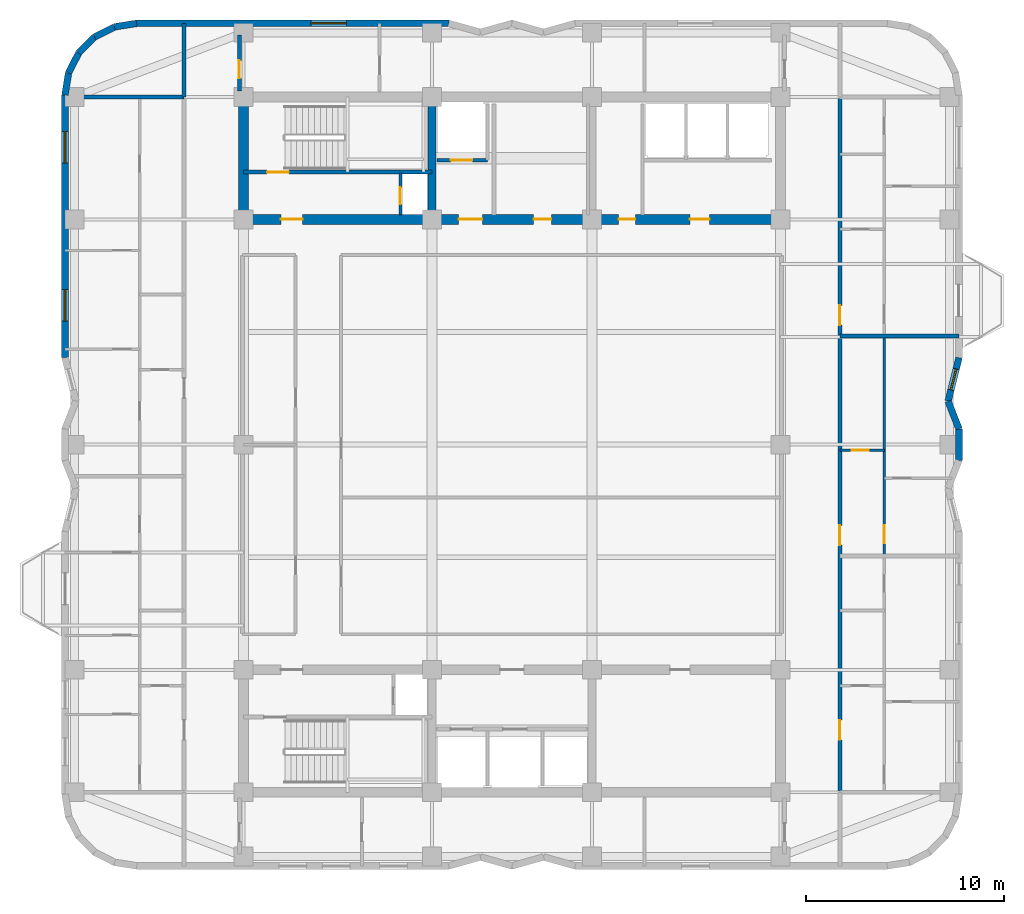
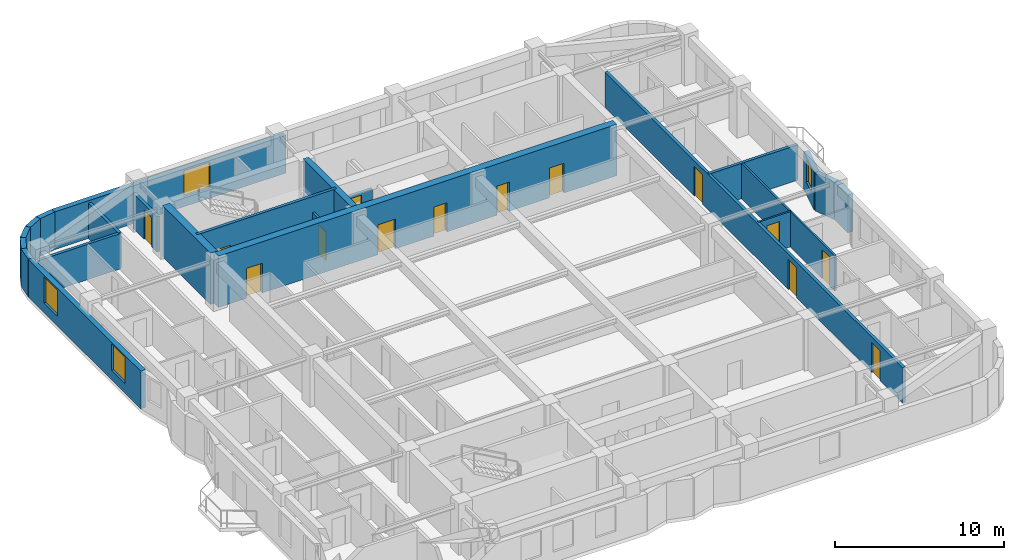
# One storey, part 5 of 8: 23 walls, 14 doors, 4 windows, 18 openings.
"""IFC4 building model written with IfcOpenShell, lengths in metres."""

from ifc_helpers import new_model, si_unit, direction, frame, frame_2d, origin, place, context, subcontext, project, spatial, rectangle, extrude, material, layer, layer_set, type_object, element, fill, save


model = new_model("IFC4")

# Units and contexts
model_context = context("Model", 3, precision=1e-05, world=origin(), true_north=direction((0.0, 1.0)))
body_context = subcontext(model_context, "Body", "Model", "MODEL_VIEW")
ifc_project = project(units=[si_unit("LENGTHUNIT", "METRE"), si_unit("AREAUNIT", "SQUARE_METRE"), si_unit("VOLUMEUNIT", "CUBIC_METRE"), si_unit("PLANEANGLEUNIT", "RADIAN"), si_unit("MASSUNIT", "GRAM", prefix="KILO")], contexts=[model_context])

# Site, building, storey
site_placement = place(None, origin())
site = spatial("IfcSite", under=ifc_project, at=site_placement, CompositionType="ELEMENT")
building_placement = place(site_placement, origin())
building = spatial("IfcBuilding", under=site, at=building_placement, Name="Svetorya Sky Lyceum", CompositionType="ELEMENT")
storey_placement = place(building_placement, frame((0.0, 0.0, 151.5)))
storey = spatial("IfcBuildingStorey", under=building, at=storey_placement, Name="L37", CompositionType="ELEMENT", Elevation=151.5)

# Walls
ifc_material_1 = material(Name="Concrete C40/50", Category="concrete")
ifc_layer_1 = layer(ifc_material_1, 0.39990234375)
ifc_layer_set_1 = layer_set([ifc_layer_1], Name="Concrete C40/50")
wall_type_1 = type_object("IfcWallType", Name="WL-CORE-400", PredefinedType="SHEAR", material=ifc_layer_set_1)
wall_1_placement = place(storey_placement, frame((35.14990234375, 39.85009765625, 0.0), z_axis=(0.0, 0.0, 1.0), x_axis=(0.0, 1.0, 0.0)))
element("IfcWall", 1, at=wall_1_placement, inside=storey, type_object=wall_type_1, Name="L37 NC Internal Shear Web WEB1", PredefinedType="SHEAR", context=body_context, shape_type="SweptSolid", body=[
    extrude(rectangle(XDim=5.699951171875, YDim=0.39990234375, at=frame_2d((2.85009765625, 0.0))), origin(), (0.0, 0.0, 1.0), 3.699951171875),
])
ifc_material_2 = material(Name="Concrete C50/60", Category="concrete")
ifc_layer_2 = layer(ifc_material_2, 0.5)
ifc_layer_set_2 = layer_set([ifc_layer_2], Name="Concrete C50/60")
wall_type_2 = type_object("IfcWallType", Name="WL-CORE-500", PredefinedType="SHEAR", material=ifc_layer_set_2)
wall_2_placement = place(storey_placement, frame((25.60009765625, 39.85009765625, 0.0), z_axis=(0.0, 0.0, 1.0), x_axis=(0.0, 1.0, 0.0)))
element("IfcWall", 2, at=wall_2_placement, inside=storey, type_object=wall_type_2, Name="L37 NC West Core Shear Wall", PredefinedType="SHEAR", context=body_context, shape_type="SweptSolid", body=[
    extrude(rectangle(XDim=5.699951171875, YDim=0.5, at=frame_2d((2.85009765625, 0.0))), origin(), (0.0, 0.0, 1.0), 3.699951171875),
])

# Wall, openings, doors
wall_3_placement = place(storey_placement, frame((52.800048828125, 39.60009765625, 0.0), z_axis=(0.0, 0.0, 1.0), x_axis=(-1.0, 0.0, 0.0)))
wall_3 = element("IfcWall", 3, at=wall_3_placement, inside=storey, type_object=wall_type_2, Name="L37 NC Inner Core Shear Wall", PredefinedType="SHEAR", context=body_context, shape_type="SweptSolid", body=[
    extrude(rectangle(XDim=27.199951171875, YDim=0.5, at=frame_2d((13.60009765625, 0.0))), origin(), (0.0, 0.0, 1.0), 3.699951171875),
])
opening_1_placement = place(wall_3_placement, frame((24.199951171875, 0.0, 0.0)))
opening_1 = element("IfcOpeningElement", 4, at=opening_1_placement, cuts=wall_3, Name="Opening D-ST1", PredefinedType="OPENING", context=body_context, shape_type="SweptSolid", body=[
    extrude(rectangle(XDim=1.10009765625, YDim=2.14990234375, at=frame_2d((0.550048828125, 1.074951171875))), frame((0.0, 0.260009765625, 0.0), z_axis=(0.0, -1.0, 0.0), x_axis=(1.0, 0.0, 0.0)), (0.0, 0.0, 1.0), 0.52001953125),
])
opening_2_placement = place(wall_3_placement, frame((15.10009765625, 0.0, 0.0)))
opening_2 = element("IfcOpeningElement", 5, at=opening_2_placement, cuts=wall_3, Name="Opening D-FL1", PredefinedType="OPENING", context=body_context, shape_type="SweptSolid", body=[
    extrude(rectangle(XDim=1.199951171875, YDim=2.14990234375, at=frame_2d((0.60009765625, 1.074951171875))), frame((0.0, 0.260009765625, 0.0), z_axis=(0.0, -1.0, 0.0), x_axis=(1.0, 0.0, 0.0)), (0.0, 0.0, 1.0), 0.52001953125),
])
opening_3_placement = place(wall_3_placement, frame((11.60009765625, 0.0, 0.0)))
opening_3 = element("IfcOpeningElement", 6, at=opening_3_placement, cuts=wall_3, Name="Opening D-RM1", PredefinedType="OPENING", context=body_context, shape_type="SweptSolid", body=[
    extrude(rectangle(XDim=0.89990234375, YDim=2.10009765625, at=frame_2d((0.449951171875, 1.050048828125))), frame((0.0, 0.260009765625, 0.0), z_axis=(0.0, -1.0, 0.0), x_axis=(1.0, 0.0, 0.0)), (0.0, 0.0, 1.0), 0.52001953125),
])
opening_4_placement = place(wall_3_placement, frame((7.35009765625, 0.0, 0.0)))
opening_4 = element("IfcOpeningElement", 7, at=opening_4_placement, cuts=wall_3, Name="Opening D-CWC1", PredefinedType="OPENING", context=body_context, shape_type="SweptSolid", body=[
    extrude(rectangle(XDim=0.85009765625, YDim=2.10009765625, at=frame_2d((0.425048828125, 1.050048828125))), frame((0.0, 0.260009765625, 0.0), z_axis=(0.0, -1.0, 0.0), x_axis=(1.0, 0.0, 0.0)), (0.0, 0.0, 1.0), 0.52001953125),
])
opening_5_placement = place(wall_3_placement, frame((3.60009765625, 0.0, 0.0)))
opening_5 = element("IfcOpeningElement", 8, at=opening_5_placement, cuts=wall_3, Name="Opening D-RM2", PredefinedType="OPENING", context=body_context, shape_type="SweptSolid", body=[
    extrude(rectangle(XDim=1.0, YDim=2.14990234375, at=frame_2d((0.5, 1.074951171875))), frame((0.0, 0.260009765625, 0.0), z_axis=(0.0, -1.0, 0.0), x_axis=(1.0, 0.0, 0.0)), (0.0, 0.0, 1.0), 0.52001953125),
])
ifc_material_3 = material(Name="Fire-rated galvanized steel core service closet door", Category="steel")
door_type_1 = type_object("IfcDoorType", Name="DR-CWET-850", OperationType="SINGLE_SWING_LEFT", PredefinedType="DOOR", material=ifc_material_3)
door_1_placement = place(opening_4_placement, origin())
door_1 = element("IfcDoor", 9, at=door_1_placement, inside=storey, type_object=door_type_1, Name="L37 High-Zone Utility Room Door", OperationType="SINGLE_SWING_LEFT", OverallHeight=2.10009765625, OverallWidth=0.85009765625, PredefinedType="DOOR", context=body_context, shape_type="SweptSolid", body=[
    extrude(rectangle(XDim=0.85009765625, YDim=2.10009765625, at=frame_2d((0.425048828125, 1.050048828125))), frame((0.0, 0.02490234375, 0.0), z_axis=(0.0, -1.0, 0.0), x_axis=(1.0, 0.0, 0.0)), (0.0, 0.0, 1.0), 0.050048828125),
])
fill(opening_4, door_1)
ifc_material_4 = material(Name="Powder-coated insulated galvanized stair fire door")
door_type_2 = type_object("IfcDoorType", Name="DR-FIRE-1100", OperationType="SINGLE_SWING_LEFT", PredefinedType="DOOR", material=ifc_material_4)
door_2_placement = place(opening_1_placement, origin())
door_2 = element("IfcDoor", 10, at=door_2_placement, inside=storey, type_object=door_type_2, Name="L37 North Stair Airlock Door", OperationType="SINGLE_SWING_LEFT", OverallHeight=2.14990234375, OverallWidth=1.10009765625, PredefinedType="DOOR", context=body_context, shape_type="SweptSolid", body=[
    extrude(rectangle(XDim=1.10009765625, YDim=2.14990234375, at=frame_2d((0.550048828125, 1.074951171875))), frame((0.0, 0.02490234375, 0.0), z_axis=(0.0, -1.0, 0.0), x_axis=(1.0, 0.0, 0.0)), (0.0, 0.0, 1.0), 0.050048828125),
])
fill(opening_1, door_2)
ifc_material_5 = material(Name="Powder-coated insulated galvanized fire door")
door_type_3 = type_object("IfcDoorType", Name="DR-FIRE-1200", OperationType="SINGLE_SWING_LEFT", PredefinedType="DOOR", material=ifc_material_5)
door_3_placement = place(opening_2_placement, origin())
door_3 = element("IfcDoor", 11, at=door_3_placement, inside=storey, type_object=door_type_3, Name="L37 North Firefighting Lift Lobby Door", OperationType="SINGLE_SWING_RIGHT", OverallHeight=2.14990234375, OverallWidth=1.199951171875, PredefinedType="DOOR", context=body_context, shape_type="SweptSolid", body=[
    extrude(rectangle(XDim=1.199951171875, YDim=2.14990234375, at=frame_2d((0.60009765625, 1.074951171875))), frame((0.0, 0.02490234375, 0.0), z_axis=(0.0, -1.0, 0.0), x_axis=(1.0, 0.0, 0.0)), (0.0, 0.0, 1.0), 0.050048828125),
])
fill(opening_2, door_3)
ifc_material_6 = material(Name="Solid-core oak acoustic room door")
door_type_4 = type_object("IfcDoorType", Name="DR-INT-1000", OperationType="SINGLE_SWING_LEFT", PredefinedType="DOOR", material=ifc_material_6)
door_4_placement = place(opening_5_placement, origin())
door_4 = element("IfcDoor", 12, at=door_4_placement, inside=storey, type_object=door_type_4, Name="L37 North Trunk Store Door", OperationType="SINGLE_SWING_LEFT", OverallHeight=2.14990234375, OverallWidth=1.0, PredefinedType="DOOR", context=body_context, shape_type="SweptSolid", body=[
    extrude(rectangle(XDim=1.0, YDim=2.14990234375, at=frame_2d((0.5, 1.074951171875))), frame((0.0, 0.02490234375, 0.0), z_axis=(0.0, -1.0, 0.0), x_axis=(1.0, 0.0, 0.0)), (0.0, 0.0, 1.0), 0.050048828125),
])
fill(opening_5, door_4)
ifc_material_7 = material(Name="Lacquered birch veneer internal door")
door_type_5 = type_object("IfcDoorType", Name="DR-INT-900", OperationType="SINGLE_SWING_LEFT", PredefinedType="DOOR", material=ifc_material_7)
door_5_placement = place(opening_3_placement, origin())
door_5 = element("IfcDoor", 13, at=door_5_placement, inside=storey, type_object=door_type_5, Name="L37 Upper Archive Door", OperationType="SINGLE_SWING_LEFT", OverallHeight=2.10009765625, OverallWidth=0.89990234375, PredefinedType="DOOR", context=body_context, shape_type="SweptSolid", body=[
    extrude(rectangle(XDim=0.89990234375, YDim=2.10009765625, at=frame_2d((0.449951171875, 1.050048828125))), frame((0.0, 0.02490234375, 0.0), z_axis=(0.0, -1.0, 0.0), x_axis=(1.0, 0.0, 0.0)), (0.0, 0.0, 1.0), 0.050048828125),
])
fill(opening_3, door_5)

# Walls
ifc_material_8 = material(Name="Putilovo limestone rainscreen on autoclaved cellular masonry", Category="masonry")
ifc_layer_3 = layer(ifc_material_8, 0.340087890625)
ifc_layer_set_3 = layer_set([ifc_layer_3], Name="Putilovo limestone rainscreen on autoclaved cellular masonry")
wall_type_3 = type_object("IfcWallType", Name="WL-EXT-340", PredefinedType="SOLIDWALL", material=ifc_layer_set_3)
wall_4_placement = place(storey_placement, frame((61.830078125, 27.39990234375, 0.0), z_axis=(0.0, 0.0, 1.0), x_axis=(0.0, 1.0, 0.0)))
element("IfcWall", 14, at=wall_4_placement, inside=storey, type_object=wall_type_3, Name="L37 Limestone Exterior Wall 20M", PredefinedType="SOLIDWALL", context=body_context, shape_type="SweptSolid", body=[
    extrude(rectangle(XDim=1.60009765625, YDim=0.340087890625, at=frame_2d((0.800048828125, 0.0))), origin(), (0.0, 0.0, 1.0), 2.719970703125),
])
wall_5_placement = place(storey_placement, frame((61.830078125, 29.0, 0.0), z_axis=(0.0, 0.0, 1.0), x_axis=(-0.365702591843, 0.930731762818, 0.0)))
element("IfcWall", 15, at=wall_5_placement, inside=storey, type_object=wall_type_3, Name="L37 Limestone Exterior Wall 21M", PredefinedType="SOLIDWALL", context=body_context, shape_type="SweptSolid", body=[
    extrude(rectangle(XDim=1.504150390625, YDim=0.340087890625, at=frame_2d((0.751953125, 0.0))), origin(), (0.0, 0.0, 1.0), 2.719970703125),
])

# Wall, opening, window
wall_6_placement = place(storey_placement, frame((61.280029296875, 30.39990234375, 0.0), z_axis=(0.0, 0.0, 1.0), x_axis=(0.242535625036, 0.970142500145, 0.0)))
wall_6 = element("IfcWall", 16, at=wall_6_placement, inside=storey, type_object=wall_type_3, Name="L37 Limestone Exterior Wall 22M", PredefinedType="SOLIDWALL", context=body_context, shape_type="SweptSolid", body=[
    extrude(rectangle(XDim=2.267822265625, YDim=0.340087890625, at=frame_2d((1.1337890625, 0.0))), origin(), (0.0, 0.0, 1.0), 2.719970703125),
])
opening_6_placement = place(wall_6_placement, frame((0.583984375, 0.0, 0.909912109375)))
opening_6 = element("IfcOpeningElement", 17, at=opening_6_placement, cuts=wall_6, Name="Opening W-R3", PredefinedType="OPENING", context=body_context, shape_type="SweptSolid", body=[
    extrude(rectangle(XDim=1.10009765625, YDim=1.64990234375, at=frame_2d((0.550048828125, 0.824951171875))), frame((0.0, 0.179931640625, 0.0), z_axis=(0.0, -1.0, 0.0), x_axis=(1.0, 0.0, 0.0)), (0.0, 0.0, 1.0), 0.360107421875),
])
ifc_material_9 = material(Name="Thermally broken aluminium frame with triple low-E glazing", Category="aluminium")
window_type_1 = type_object("IfcWindowType", Name="WN-RES-110", PartitioningType="SINGLE_PANEL", PredefinedType="WINDOW", material=ifc_material_9)
window_1_placement = place(opening_6_placement, origin())
window_1 = element("IfcWindow", 18, at=window_1_placement, inside=storey, type_object=window_type_1, Name="L37 Facade Window W-R3.22M.1", OverallHeight=1.64990234375, OverallWidth=1.10009765625, PartitioningType="SINGLE_PANEL", PredefinedType="WINDOW", context=body_context, shape_type="SweptSolid", body=[
    extrude(rectangle(XDim=1.10009765625, YDim=1.64990234375, at=frame_2d((0.550048828125, 0.824951171875))), frame((0.0, 0.030029296875, 0.0), z_axis=(0.0, -1.0, 0.0), x_axis=(1.0, 0.0, 0.0)), (0.0, 0.0, 1.0), 0.06005859375),
])
fill(opening_6, window_1)

wall_7_placement = place(storey_placement, frame((36.0, 49.530029296875, 0.0), z_axis=(0.0, 0.0, 1.0), x_axis=(-1.0, 0.0, 0.0)))
wall_7 = element("IfcWall", 19, at=wall_7_placement, inside=storey, type_object=wall_type_3, Name="L37 Limestone Exterior Wall 34M", PredefinedType="SOLIDWALL", context=body_context, shape_type="SweptSolid", body=[
    extrude(rectangle(XDim=15.800048828125, YDim=0.340087890625, at=frame_2d((7.89990234375, 0.0))), origin(), (0.0, 0.0, 1.0), 2.719970703125),
])
opening_7_placement = place(wall_7_placement, frame((5.1875, 0.0, 0.75)))
opening_7 = element("IfcOpeningElement", 20, at=opening_7_placement, cuts=wall_7, Name="Opening W-R1", PredefinedType="OPENING", context=body_context, shape_type="SweptSolid", body=[
    extrude(rectangle(XDim=1.800048828125, YDim=1.85009765625, at=frame_2d((0.89990234375, 0.925048828125))), frame((0.0, 0.179931640625, 0.0), z_axis=(0.0, -1.0, 0.0), x_axis=(1.0, 0.0, 0.0)), (0.0, 0.0, 1.0), 0.360107421875),
])
window_type_2 = type_object("IfcWindowType", Name="WN-RES-180", PartitioningType="DOUBLE_PANEL_VERTICAL", PredefinedType="WINDOW", material=ifc_material_9)
window_2_placement = place(opening_7_placement, origin())
window_2 = element("IfcWindow", 21, at=window_2_placement, inside=storey, type_object=window_type_2, Name="L37 Facade Window W-R1.34M.1", OverallHeight=1.85009765625, OverallWidth=1.800048828125, PartitioningType="SINGLE_PANEL", PredefinedType="WINDOW", context=body_context, shape_type="SweptSolid", body=[
    extrude(rectangle(XDim=1.800048828125, YDim=1.85009765625, at=frame_2d((0.89990234375, 0.925048828125))), frame((0.0, 0.030029296875, 0.0), z_axis=(0.0, -1.0, 0.0), x_axis=(1.0, 0.0, 0.0)), (0.0, 0.0, 1.0), 0.06005859375),
])
fill(opening_7, window_2)

# Walls
wall_8_placement = place(storey_placement, frame((20.199951171875, 49.530029296875, 0.0), z_axis=(0.0, 0.0, 1.0), x_axis=(-0.987675651954, -0.156514556949, 0.0)))
element("IfcWall", 22, at=wall_8_placement, inside=storey, type_object=wall_type_3, Name="L37 Limestone Exterior Wall 35M", PredefinedType="SOLIDWALL", context=body_context, shape_type="SweptSolid", body=[
    extrude(rectangle(XDim=1.135498046875, YDim=0.340087890625, at=frame_2d((0.56787109375, 0.0))), origin(), (0.0, 0.0, 1.0), 2.719970703125),
])
for number, where, z_axis, x_axis, name in (
    (23, (19.078369140625, 49.352294921875, 0.0), (0.0, 0.0, 1.0), (-0.891005044957, -0.453993402883, 0.0), "L37 Limestone Exterior Wall 36M"),
    (24, (18.06640625, 48.836669921875, 0.0), (0.0, 0.0, 1.0), (-0.707214252388, -0.706999293649, 0.0), "L37 Limestone Exterior Wall 37M"),
    (25, (17.26318359375, 48.03369140625, 0.0), (0.0, 0.0, 1.0), (-0.453822724105, -0.891091990249, 0.0), "L37 Limestone Exterior Wall 38M"),
    (26, (16.747802734375, 47.021728515625, 0.0), (0.0, 0.0, 1.0), (-0.156481329164, -0.987680916907, 0.0), "L37 Limestone Exterior Wall 39M"),
):
    element("IfcWall", number, at=place(storey_placement, frame(where, z_axis=z_axis, x_axis=x_axis)), inside=storey, type_object=wall_type_3, Name=name, PredefinedType="SOLIDWALL", context=body_context, shape_type="SweptSolid", body=[
        extrude(rectangle(XDim=1.1357421875, YDim=0.340087890625, at=frame_2d((0.56787109375, 0.0))), origin(), (0.0, 0.0, 1.0), 2.719970703125),
    ])

# Wall, openings, windows
wall_9_placement = place(storey_placement, frame((16.570068359375, 45.89990234375, 0.0), z_axis=(0.0, 0.0, 1.0), x_axis=(0.0, -1.0, 0.0)))
wall_9 = element("IfcWall", 27, at=wall_9_placement, inside=storey, type_object=wall_type_3, Name="L37 Limestone Exterior Wall 40M", PredefinedType="SOLIDWALL", context=body_context, shape_type="SweptSolid", body=[
    extrude(rectangle(XDim=13.2998046875, YDim=0.340087890625, at=frame_2d((6.64990234375, 0.0))), origin(), (0.0, 0.0, 1.0), 2.719970703125),
])
opening_8_placement = place(wall_9_placement, frame((1.85009765625, 0.0, 0.699951171875)))
opening_8 = element("IfcOpeningElement", 28, at=opening_8_placement, cuts=wall_9, Name="Opening W-R4", PredefinedType="OPENING", context=body_context, shape_type="SweptSolid", body=[
    extrude(rectangle(XDim=1.60009765625, YDim=1.89990234375, at=frame_2d((0.800048828125, 0.949951171875))), frame((0.0, 0.179931640625, 0.0), z_axis=(0.0, -1.0, 0.0), x_axis=(1.0, 0.0, 0.0)), (0.0, 0.0, 1.0), 0.360107421875),
])
opening_9_placement = place(wall_9_placement, frame((9.85009765625, 0.0, 0.699951171875)))
opening_9 = element("IfcOpeningElement", 29, at=opening_9_placement, cuts=wall_9, Name="Opening W-R4", PredefinedType="OPENING", context=body_context, shape_type="SweptSolid", body=[
    extrude(rectangle(XDim=1.60009765625, YDim=1.89990234375, at=frame_2d((0.800048828125, 0.949951171875))), frame((0.0, 0.179931640625, 0.0), z_axis=(0.0, -1.0, 0.0), x_axis=(1.0, 0.0, 0.0)), (0.0, 0.0, 1.0), 0.360107421875),
])
window_type_3 = type_object("IfcWindowType", Name="WN-RES-160", PartitioningType="DOUBLE_PANEL_VERTICAL", PredefinedType="WINDOW", material=ifc_material_9)
window_3_placement = place(opening_8_placement, origin())
window_3 = element("IfcWindow", 30, at=window_3_placement, inside=storey, type_object=window_type_3, Name="L37 Facade Window W-R4.40M.1", OverallHeight=1.89990234375, OverallWidth=1.60009765625, PartitioningType="SINGLE_PANEL", PredefinedType="WINDOW", context=body_context, shape_type="SweptSolid", body=[
    extrude(rectangle(XDim=1.60009765625, YDim=1.89990234375, at=frame_2d((0.800048828125, 0.949951171875))), frame((0.0, 0.030029296875, 0.0), z_axis=(0.0, -1.0, 0.0), x_axis=(1.0, 0.0, 0.0)), (0.0, 0.0, 1.0), 0.06005859375),
])
fill(opening_8, window_3)
window_4_placement = place(opening_9_placement, origin())
window_4 = element("IfcWindow", 31, at=window_4_placement, inside=storey, type_object=window_type_3, Name="L37 Facade Window W-R4.40M.2", OverallHeight=1.89990234375, OverallWidth=1.60009765625, PartitioningType="SINGLE_PANEL", PredefinedType="WINDOW", context=body_context, shape_type="SweptSolid", body=[
    extrude(rectangle(XDim=1.60009765625, YDim=1.89990234375, at=frame_2d((0.800048828125, 0.949951171875))), frame((0.0, 0.030029296875, 0.0), z_axis=(0.0, -1.0, 0.0), x_axis=(1.0, 0.0, 0.0)), (0.0, 0.0, 1.0), 0.06005859375),
])
fill(opening_9, window_4)

# Wall, opening, door
ifc_material_10 = material(Name="Twin-stud galvanized framing with double fireboard", Category="gypsum")
ifc_layer_4 = layer(ifc_material_10, 0.1201171875)
ifc_layer_set_4 = layer_set([ifc_layer_4], Name="Twin-stud galvanized framing with double fireboard")
wall_type_4 = type_object("IfcWallType", Name="WL-PART-120", PredefinedType="PARTITIONING", material=ifc_layer_set_4)
wall_10_placement = place(storey_placement, frame((55.800048828125, 27.907958984375, 0.0), z_axis=(0.0, 0.0, 1.0), x_axis=(1.0, 0.0, 0.0)))
wall_10 = element("IfcWall", 32, at=wall_10_placement, inside=storey, type_object=wall_type_4, Name="L37 Interior Partition E2-WH1", PredefinedType="PARTITIONING", context=body_context, shape_type="SweptSolid", body=[
    extrude(rectangle(XDim=2.25, YDim=0.1201171875, at=frame_2d((1.125, 0.0))), origin(), (0.0, 0.0, 1.0), 2.550048828125),
])
opening_10_placement = place(wall_10_placement, frame((0.60009765625, 0.0, 0.0)))
opening_10 = element("IfcOpeningElement", 33, at=opening_10_placement, cuts=wall_10, Name="Opening D-BT1", PredefinedType="OPENING", context=body_context, shape_type="SweptSolid", body=[
    extrude(rectangle(XDim=0.85009765625, YDim=2.10009765625, at=frame_2d((0.425048828125, 1.050048828125))), frame((0.0, 0.070068359375, 0.0), z_axis=(0.0, -1.0, 0.0), x_axis=(1.0, 0.0, 0.0)), (0.0, 0.0, 1.0), 0.14013671875),
])
ifc_material_11 = material(Name="Moisture-resistant laminate bathroom door")
door_type_6 = type_object("IfcDoorType", Name="DR-WET-850", OperationType="SINGLE_SWING_LEFT", PredefinedType="DOOR", material=ifc_material_11)
door_6_placement = place(opening_10_placement, origin())
door_6 = element("IfcDoor", 34, at=door_6_placement, inside=storey, type_object=door_type_6, Name="Apartment E2 Bathroom Door", OperationType="SINGLE_SWING_LEFT", OverallHeight=2.10009765625, OverallWidth=0.85009765625, PredefinedType="DOOR", context=body_context, shape_type="SweptSolid", body=[
    extrude(rectangle(XDim=0.85009765625, YDim=2.10009765625, at=frame_2d((0.425048828125, 1.050048828125))), frame((0.0, 0.02490234375, 0.0), z_axis=(0.0, -1.0, 0.0), x_axis=(1.0, 0.0, 0.0)), (0.0, 0.0, 1.0), 0.050048828125),
])
fill(opening_10, door_6)

wall_11_placement = place(storey_placement, frame((58.050048828125, 22.60791015625, 0.0), z_axis=(0.0, 0.0, 1.0), x_axis=(0.0, 1.0, 0.0)))
wall_11 = element("IfcWall", 35, at=wall_11_placement, inside=storey, type_object=wall_type_4, Name="L37 Interior Partition E2-WV", PredefinedType="PARTITIONING", context=body_context, shape_type="SweptSolid", body=[
    extrude(rectangle(XDim=11.052001953125, YDim=0.1201171875, at=frame_2d((5.52587890625, 0.0))), origin(), (0.0, 0.0, 1.0), 2.550048828125),
])
opening_11_placement = place(wall_11_placement, frame((0.610107421875, 0.0, 0.0)))
opening_11 = element("IfcOpeningElement", 36, at=opening_11_placement, cuts=wall_11, Name="Opening D-RM1", PredefinedType="OPENING", context=body_context, shape_type="SweptSolid", body=[
    extrude(rectangle(XDim=0.89990234375, YDim=2.10009765625, at=frame_2d((0.449951171875, 1.050048828125))), frame((0.0, 0.070068359375, 0.0), z_axis=(0.0, -1.0, 0.0), x_axis=(1.0, 0.0, 0.0)), (0.0, 0.0, 1.0), 0.14013671875),
])
door_7_placement = place(opening_11_placement, origin())
door_7 = element("IfcDoor", 37, at=door_7_placement, inside=storey, type_object=door_type_5, Name="Apartment E2 Living Door", OperationType="SINGLE_SWING_RIGHT", OverallHeight=2.10009765625, OverallWidth=0.89990234375, PredefinedType="DOOR", context=body_context, shape_type="SweptSolid", body=[
    extrude(rectangle(XDim=0.89990234375, YDim=2.10009765625, at=frame_2d((0.449951171875, 1.050048828125))), frame((0.0, 0.02490234375, 0.0), z_axis=(0.0, -1.0, 0.0), x_axis=(1.0, 0.0, 0.0)), (0.0, 0.0, 1.0), 0.050048828125),
])
fill(opening_11, door_7)

ifc_material_12 = material(Name="Autoclaved cellular masonry blockwork with acoustic render", Category="masonry")
ifc_layer_5 = layer(ifc_material_12, 0.14990234375)
ifc_layer_set_5 = layer_set([ifc_layer_5], Name="Autoclaved cellular masonry blockwork with acoustic render")
wall_type_5 = type_object("IfcWallType", Name="WL-PART-150", PredefinedType="PARTITIONING", material=ifc_layer_set_5)
wall_12_placement = place(storey_placement, frame((33.550048828125, 39.820068359375, 0.0), z_axis=(0.0, 0.0, 1.0), x_axis=(0.0, 1.0, 0.0)))
wall_12 = element("IfcWall", 38, at=wall_12_placement, inside=storey, type_object=wall_type_5, Name="L37 Interior Partition NC-RSRW", PredefinedType="PARTITIONING", context=body_context, shape_type="SweptSolid", body=[
    extrude(rectangle(XDim=2.1298828125, YDim=0.14990234375, at=frame_2d((1.06494140625, 0.0))), origin(), (0.0, 0.0, 1.0), 2.550048828125),
])
opening_12_placement = place(wall_12_placement, frame((0.550048828125, 0.0, 0.0)))
opening_12 = element("IfcOpeningElement", 39, at=opening_12_placement, cuts=wall_12, Name="Opening D-SH1", PredefinedType="OPENING", context=body_context, shape_type="SweptSolid", body=[
    extrude(rectangle(XDim=0.85009765625, YDim=2.050048828125, at=frame_2d((0.425048828125, 1.02490234375))), frame((0.0, 0.0849609375, 0.0), z_axis=(0.0, -1.0, 0.0), x_axis=(1.0, 0.0, 0.0)), (0.0, 0.0, 1.0), 0.169921875),
])
ifc_material_13 = material(Name="Insulated galvanized riser inspection fire door")
door_type_7 = type_object("IfcDoorType", Name="DR-SHFT-850", OperationType="SINGLE_SWING_LEFT", PredefinedType="TRAPDOOR", material=ifc_material_13)
door_8_placement = place(opening_12_placement, origin())
door_8 = element("IfcDoor", 40, at=door_8_placement, inside=storey, type_object=door_type_7, Name="L37 North Riser Access Door", OperationType="SINGLE_SWING_LEFT", OverallHeight=2.050048828125, OverallWidth=0.85009765625, PredefinedType="TRAPDOOR", context=body_context, shape_type="SweptSolid", body=[
    extrude(rectangle(XDim=0.85009765625, YDim=2.050048828125, at=frame_2d((0.425048828125, 1.02490234375))), frame((0.0, 0.02490234375, 0.0), z_axis=(0.0, -1.0, 0.0), x_axis=(1.0, 0.0, 0.0)), (0.0, 0.0, 1.0), 0.050048828125),
])
fill(opening_12, door_8)

ifc_material_14 = material(Name="Autoclaved cellular masonry blockwork with gypsum plaster", Category="masonry")
ifc_layer_6 = layer(ifc_material_14, 0.199951171875)
ifc_layer_set_6 = layer_set([ifc_layer_6], Name="Autoclaved cellular masonry blockwork with gypsum plaster")
wall_type_6 = type_object("IfcWallType", Name="WL-PART-200", PredefinedType="PARTITIONING", material=ifc_layer_set_6)
wall_13_placement = place(storey_placement, frame((37.949951171875, 42.60009765625, 0.0), z_axis=(0.0, 0.0, 1.0), x_axis=(-1.0, 0.0, 0.0)))
wall_13 = element("IfcWall", 41, at=wall_13_placement, inside=storey, type_object=wall_type_6, Name="L37 Interior Partition NC-FL1W", PredefinedType="PARTITIONING", context=body_context, shape_type="SweptSolid", body=[
    extrude(rectangle(XDim=2.550048828125, YDim=0.199951171875, at=frame_2d((1.27490234375, 0.0))), origin(), (0.0, 0.0, 1.0), 2.320068359375),
])
opening_13_placement = place(wall_13_placement, frame((0.75, 0.0, 0.0)))
opening_13 = element("IfcOpeningElement", 42, at=opening_13_placement, cuts=wall_13, Name="Opening LD-FL", PredefinedType="OPENING", context=body_context, shape_type="SweptSolid", body=[
    extrude(rectangle(XDim=1.10009765625, YDim=2.14990234375, at=frame_2d((0.550048828125, 1.074951171875))), frame((0.0, 0.10986328125, 0.0), z_axis=(0.0, -1.0, 0.0), x_axis=(1.0, 0.0, 0.0)), (0.0, 0.0, 1.0), 0.219970703125),
])
ifc_material_15 = material(Name="Fire-rated stainless AISI 304 firefighting lift landing door")
door_type_8 = type_object("IfcDoorType", Name="DR-LIFT-1100", OperationType="SLIDING_TO_LEFT", PredefinedType="DOOR", material=ifc_material_15)
door_9_placement = place(opening_13_placement, origin())
door_9 = element("IfcDoor", 43, at=door_9_placement, inside=storey, type_object=door_type_8, Name="L37 Firefighting Lift FL1 Landing Door", OperationType="SLIDING_TO_LEFT", OverallHeight=2.14990234375, OverallWidth=1.10009765625, PredefinedType="DOOR", context=body_context, shape_type="SweptSolid", body=[
    extrude(rectangle(XDim=1.10009765625, YDim=2.14990234375, at=frame_2d((0.550048828125, 1.074951171875))), frame((0.0, 0.02490234375, 0.0), z_axis=(0.0, -1.0, 0.0), x_axis=(1.0, 0.0, 0.0)), (0.0, 0.0, 1.0), 0.050048828125),
])
fill(opening_13, door_9)

# Walls
wall_14_placement = place(storey_placement, frame((16.989990234375, 45.800048828125, 0.0), z_axis=(0.0, 0.0, 1.0), x_axis=(1.0, 0.0, 0.0)))
element("IfcWall", 44, at=wall_14_placement, inside=storey, type_object=wall_type_6, Name="L37 Interior Partition W-CAP-N", PredefinedType="PARTITIONING", context=body_context, shape_type="SweptSolid", body=[
    extrude(rectangle(XDim=5.610107421875, YDim=0.199951171875, at=frame_2d((2.80517578125, 0.0))), origin(), (0.0, 0.0, 1.0), 2.550048828125),
])
wall_15_placement = place(storey_placement, frame((55.800048828125, 33.699951171875, 0.0), z_axis=(0.0, 0.0, 1.0), x_axis=(1.0, 0.0, 0.0)))
element("IfcWall", 45, at=wall_15_placement, inside=storey, type_object=wall_type_6, Name="L37 Interior Partition E-PARTY-2", PredefinedType="PARTITIONING", context=body_context, shape_type="SweptSolid", body=[
    extrude(rectangle(XDim=6.030029296875, YDim=0.199951171875, at=frame_2d((3.01513671875, 0.0))), origin(), (0.0, 0.0, 1.0), 2.550048828125),
])

# Wall, openings, doors
wall_16_placement = place(storey_placement, frame((55.800048828125, 10.60009765625, 0.0), z_axis=(0.0, 0.0, 1.0), x_axis=(0.0, 1.0, 0.0)))
wall_16 = element("IfcWall", 46, at=wall_16_placement, inside=storey, type_object=wall_type_6, Name="L37 Interior Partition E-CORRW", PredefinedType="PARTITIONING", context=body_context, shape_type="SweptSolid", body=[
    extrude(rectangle(XDim=35.199951171875, YDim=0.199951171875, at=frame_2d((17.60009765625, 0.0))), origin(), (0.0, 0.0, 1.0), 2.550048828125),
])
opening_14_placement = place(wall_16_placement, frame((2.64990234375, 0.0, 0.0)))
opening_14 = element("IfcOpeningElement", 47, at=opening_14_placement, cuts=wall_16, Name="Opening D-APT1", PredefinedType="OPENING", context=body_context, shape_type="SweptSolid", body=[
    extrude(rectangle(XDim=1.0, YDim=2.14990234375, at=frame_2d((0.5, 1.074951171875))), frame((0.0, 0.10986328125, 0.0), z_axis=(0.0, -1.0, 0.0), x_axis=(1.0, 0.0, 0.0)), (0.0, 0.0, 1.0), 0.219970703125),
])
opening_15_placement = place(wall_16_placement, frame((12.51806640625, 0.0, 0.0)))
opening_15 = element("IfcOpeningElement", 48, at=opening_15_placement, cuts=wall_16, Name="Opening D-APT1", PredefinedType="OPENING", context=body_context, shape_type="SweptSolid", body=[
    extrude(rectangle(XDim=1.0, YDim=2.14990234375, at=frame_2d((0.5, 1.074951171875))), frame((0.0, 0.10986328125, 0.0), z_axis=(0.0, -1.0, 0.0), x_axis=(1.0, 0.0, 0.0)), (0.0, 0.0, 1.0), 0.219970703125),
])
opening_16_placement = place(wall_16_placement, frame((23.64990234375, 0.0, 0.0)))
opening_16 = element("IfcOpeningElement", 49, at=opening_16_placement, cuts=wall_16, Name="Opening D-APT1", PredefinedType="OPENING", context=body_context, shape_type="SweptSolid", body=[
    extrude(rectangle(XDim=1.0, YDim=2.14990234375, at=frame_2d((0.5, 1.074951171875))), frame((0.0, 0.10986328125, 0.0), z_axis=(0.0, -1.0, 0.0), x_axis=(1.0, 0.0, 0.0)), (0.0, 0.0, 1.0), 0.219970703125),
])
ifc_material_16 = material(Name="Insulated oak-veneered apartment entrance door")
door_type_9 = type_object("IfcDoorType", Name="DR-APT-1000", OperationType="SINGLE_SWING_LEFT", PredefinedType="DOOR", material=ifc_material_16)
door_10_placement = place(opening_14_placement, origin())
door_10 = element("IfcDoor", 50, at=door_10_placement, inside=storey, type_object=door_type_9, Name="L37 Apartment E1 Entrance Door", OperationType="SINGLE_SWING_RIGHT", OverallHeight=2.14990234375, OverallWidth=1.0, PredefinedType="DOOR", context=body_context, shape_type="SweptSolid", body=[
    extrude(rectangle(XDim=1.0, YDim=2.14990234375, at=frame_2d((0.5, 1.074951171875))), frame((0.0, 0.02490234375, 0.0), z_axis=(0.0, -1.0, 0.0), x_axis=(1.0, 0.0, 0.0)), (0.0, 0.0, 1.0), 0.050048828125),
])
fill(opening_14, door_10)
door_11_placement = place(opening_15_placement, origin())
door_11 = element("IfcDoor", 51, at=door_11_placement, inside=storey, type_object=door_type_9, Name="L37 Apartment E2 Entrance Door", OperationType="SINGLE_SWING_LEFT", OverallHeight=2.14990234375, OverallWidth=1.0, PredefinedType="DOOR", context=body_context, shape_type="SweptSolid", body=[
    extrude(rectangle(XDim=1.0, YDim=2.14990234375, at=frame_2d((0.5, 1.074951171875))), frame((0.0, 0.02490234375, 0.0), z_axis=(0.0, -1.0, 0.0), x_axis=(1.0, 0.0, 0.0)), (0.0, 0.0, 1.0), 0.050048828125),
])
fill(opening_15, door_11)
door_12_placement = place(opening_16_placement, origin())
door_12 = element("IfcDoor", 52, at=door_12_placement, inside=storey, type_object=door_type_9, Name="L37 Apartment E3 Entrance Door", OperationType="SINGLE_SWING_RIGHT", OverallHeight=2.14990234375, OverallWidth=1.0, PredefinedType="DOOR", context=body_context, shape_type="SweptSolid", body=[
    extrude(rectangle(XDim=1.0, YDim=2.14990234375, at=frame_2d((0.5, 1.074951171875))), frame((0.0, 0.02490234375, 0.0), z_axis=(0.0, -1.0, 0.0), x_axis=(1.0, 0.0, 0.0)), (0.0, 0.0, 1.0), 0.050048828125),
])
fill(opening_16, door_12)

# Wall
wall_17_placement = place(storey_placement, frame((22.60009765625, 45.800048828125, 0.0), z_axis=(0.0, 0.0, 1.0), x_axis=(0.0, 1.0, 0.0)))
element("IfcWall", 53, at=wall_17_placement, inside=storey, type_object=wall_type_6, Name="L37 Interior Partition WC-NW-END", PredefinedType="PARTITIONING", context=body_context, shape_type="SweptSolid", body=[
    extrude(rectangle(XDim=3.72998046875, YDim=0.199951171875, at=frame_2d((1.864990234375, 0.0))), origin(), (0.0, 0.0, 1.0), 2.550048828125),
])

# Wall, opening, door
wall_18_placement = place(storey_placement, frame((25.39990234375, 46.10009765625, 0.0), z_axis=(0.0, 0.0, 1.0), x_axis=(0.0, 1.0, 0.0)))
wall_18 = element("IfcWall", 54, at=wall_18_placement, inside=storey, type_object=wall_type_6, Name="L37 Interior Partition N-EW", PredefinedType="PARTITIONING", context=body_context, shape_type="SweptSolid", body=[
    extrude(rectangle(XDim=2.829833984375, YDim=0.199951171875, at=frame_2d((1.4150390625, 0.0))), origin(), (0.0, 0.0, 1.0), 2.550048828125),
])
opening_17_placement = place(wall_18_placement, frame((0.64990234375, 0.0, 0.0)))
opening_17 = element("IfcOpeningElement", 55, at=opening_17_placement, cuts=wall_18, Name="Opening D-RM1", PredefinedType="OPENING", context=body_context, shape_type="SweptSolid", body=[
    extrude(rectangle(XDim=0.89990234375, YDim=2.10009765625, at=frame_2d((0.449951171875, 1.050048828125))), frame((0.0, 0.10986328125, 0.0), z_axis=(0.0, -1.0, 0.0), x_axis=(1.0, 0.0, 0.0)), (0.0, 0.0, 1.0), 0.219970703125),
])
door_13_placement = place(opening_17_placement, origin())
door_13 = element("IfcDoor", 56, at=door_13_placement, inside=storey, type_object=door_type_5, Name="L37 North Study Door", OperationType="SINGLE_SWING_RIGHT", OverallHeight=2.10009765625, OverallWidth=0.89990234375, PredefinedType="DOOR", context=body_context, shape_type="SweptSolid", body=[
    extrude(rectangle(XDim=0.89990234375, YDim=2.10009765625, at=frame_2d((0.449951171875, 1.050048828125))), frame((0.0, 0.02490234375, 0.0), z_axis=(0.0, -1.0, 0.0), x_axis=(1.0, 0.0, 0.0)), (0.0, 0.0, 1.0), 0.050048828125),
])
fill(opening_17, door_13)

ifc_layer_7 = layer(ifc_material_2, 0.199951171875)
ifc_layer_set_7 = layer_set([ifc_layer_7], Name="Concrete C50/60")
wall_type_7 = type_object("IfcWallType", Name="WL-SHW-200", PredefinedType="SHEAR", material=ifc_layer_set_7)
wall_19_placement = place(storey_placement, frame((35.14990234375, 42.0, 0.0), z_axis=(0.0, 0.0, 1.0), x_axis=(-1.0, 0.0, 0.0)))
wall_19 = element("IfcWall", 57, at=wall_19_placement, inside=storey, type_object=wall_type_7, Name="L37 Structural Stair Shaft Wall NC-STW", PredefinedType="SHEAR", context=body_context, shape_type="SweptSolid", body=[
    extrude(rectangle(XDim=9.5498046875, YDim=0.199951171875, at=frame_2d((4.77490234375, 0.0))), origin(), (0.0, 0.0, 1.0), 3.699951171875),
])
opening_18_placement = place(wall_19_placement, frame((7.25, 0.0, 0.0)))
opening_18 = element("IfcOpeningElement", 58, at=opening_18_placement, cuts=wall_19, Name="Opening D-ST1", PredefinedType="OPENING", context=body_context, shape_type="SweptSolid", body=[
    extrude(rectangle(XDim=1.10009765625, YDim=2.14990234375, at=frame_2d((0.550048828125, 1.074951171875))), frame((0.0, 0.10986328125, 0.0), z_axis=(0.0, -1.0, 0.0), x_axis=(1.0, 0.0, 0.0)), (0.0, 0.0, 1.0), 0.219970703125),
])
door_14_placement = place(opening_18_placement, origin())
door_14 = element("IfcDoor", 59, at=door_14_placement, inside=storey, type_object=door_type_2, Name="L37 Stair ST-N Vestibule Fire Door", OperationType="SINGLE_SWING_RIGHT", OverallHeight=2.14990234375, OverallWidth=1.10009765625, PredefinedType="DOOR", context=body_context, shape_type="SweptSolid", body=[
    extrude(rectangle(XDim=1.10009765625, YDim=2.14990234375, at=frame_2d((0.550048828125, 1.074951171875))), frame((0.0, 0.02490234375, 0.0), z_axis=(0.0, -1.0, 0.0), x_axis=(1.0, 0.0, 0.0)), (0.0, 0.0, 1.0), 0.050048828125),
])
fill(opening_18, door_14)

save(model, "model.ifc")
